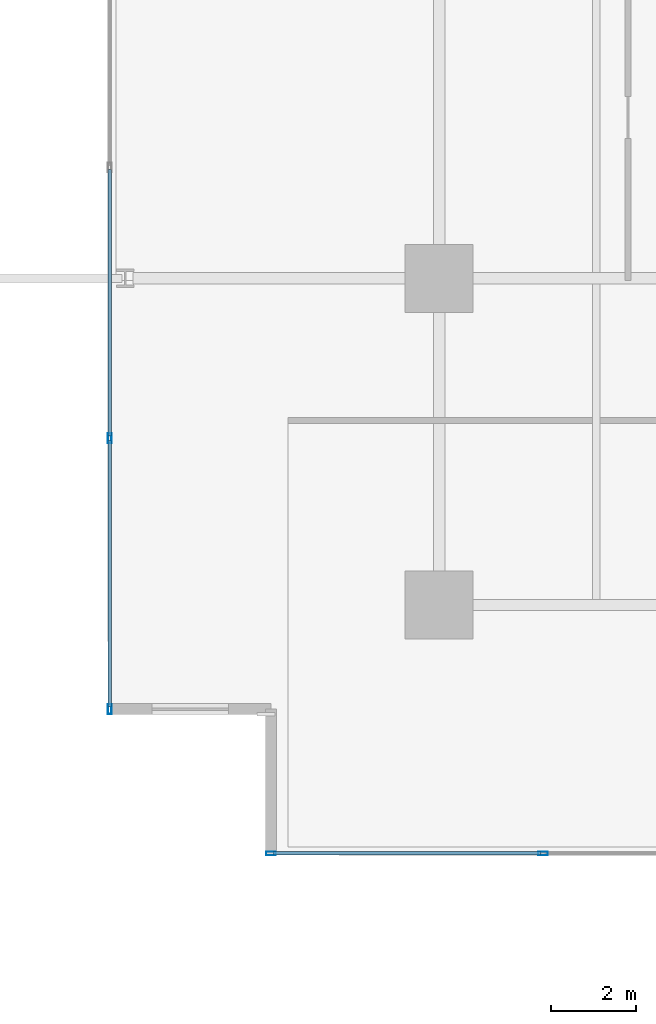
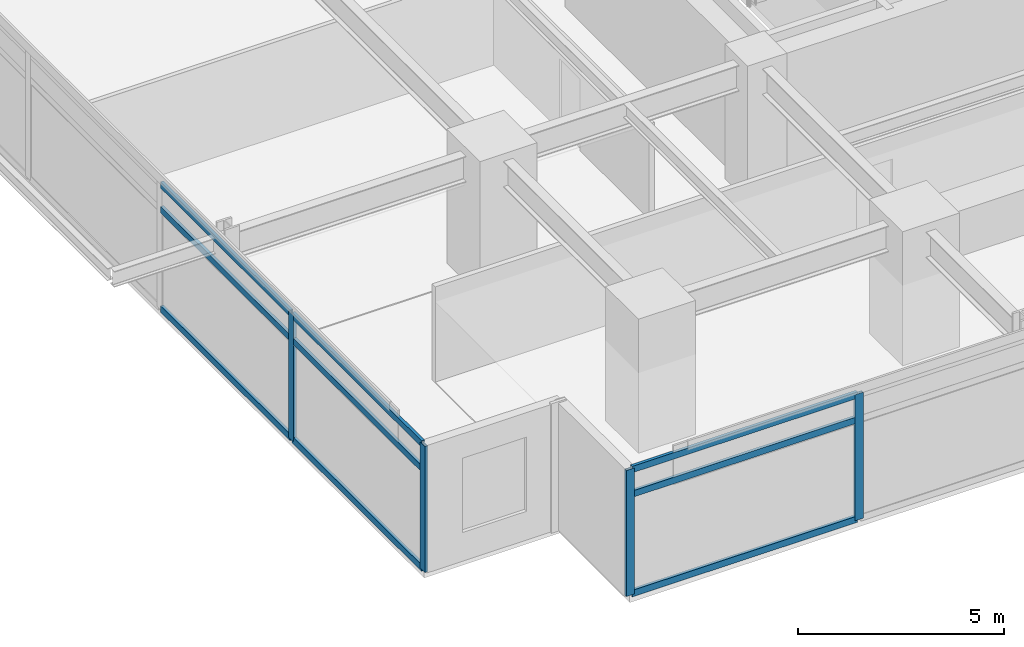
# One storey, part 2 of 24: 13 members, 2 elements without a shape of their own.
"""IFC4 building model written with IfcOpenShell, lengths in metres."""

from ifc_helpers import new_model, si_unit, direction, frame, origin, origin_2d, place, context, subcontext, project, spatial, hollow_rectangle, extrude, material, material_profile, profile_set, type_object, element, aggregate, save


model = new_model("IFC4")

# Units and contexts
model_context = context("Model", 3, precision=1e-05, world=origin(), true_north=direction((0.0, 1.0)))
body_context = subcontext(model_context, "Body", "Model", "MODEL_VIEW")
ifc_project = project(units=[si_unit("LENGTHUNIT", "METRE"), si_unit("AREAUNIT", "SQUARE_METRE"), si_unit("VOLUMEUNIT", "CUBIC_METRE"), si_unit("PLANEANGLEUNIT", "RADIAN"), si_unit("MASSUNIT", "GRAM", prefix="KILO")], contexts=[model_context])

# Site, building, storey
site_placement = place(None, origin())
site = spatial("IfcSite", under=ifc_project, at=site_placement, CompositionType="ELEMENT")
building_placement = place(site_placement, origin())
building = spatial("IfcBuilding", under=site, at=building_placement, Name="Kovane Verandah Tower", CompositionType="ELEMENT")
storey_placement = place(building_placement, frame((0.0, 0.0, 132.39990234375)))
storey = spatial("IfcBuildingStorey", under=building, at=storey_placement, Name="L30", CompositionType="ELEMENT", Elevation=132.39990234375)

# Curtain wall, members
ifc_material_1 = material(Name="Champagne Anodised Aluminium Frame with Low-E Clear Laminated Glass", Category="aluminium")
curtain_wall_type = type_object("IfcCurtainWallType", Name="CW-SYS-03-MID", PredefinedType="NOTDEFINED", material=ifc_material_1)
curtain_wall_1_placement = place(storey_placement, origin())
curtain_wall_1 = element("IfcCurtainWall", 1, at=curtain_wall_1_placement, inside=storey, type_object=curtain_wall_type, Name="L30 S Unitised Curtain Wall", PredefinedType="NOTDEFINED")
ifc_material_2 = material(Name="Champagne Anodised Aluminium 6063-T6", Category="aluminium")
ifc_material_profile_1 = material_profile(ifc_material_2, hollow_rectangle(XDim=0.0849609375, YDim=0.22998046875, WallThickness=0.00390625, at=origin_2d()), Name="AL85x230x4")
ifc_profile_set_1 = profile_set([ifc_material_profile_1], Name="Champagne Anodised Aluminium 6063-T6")
member_type_1 = type_object("IfcMemberType", Name="CW-MUL-85x230", PredefinedType="MULLION", material=ifc_profile_set_1)
member_1_placement = place(storey_placement, frame((17.6376953125, 4.9462890625, 0.02001953125), z_axis=(0.0, 0.0, 1.0), x_axis=(0.0, -1.0, 0.0)))
member_1 = element("IfcMember", 2, at=member_1_placement, type_object=member_type_1, Name="L30 S Unitised Curtain Wall Mullion 1", PredefinedType="MULLION", context=body_context, shape_type="SweptSolid", body=[
    extrude(hollow_rectangle(XDim=0.0849609375, YDim=0.22998046875, WallThickness=0.00390625, at=origin_2d()), origin(), (0.0, 0.0, 1.0), 3.735107421875),
])
member_2_placement = place(storey_placement, frame((24.048583984375, 4.9462890625, 0.02001953125), z_axis=(0.0, 0.0, 1.0), x_axis=(0.0, -1.0, 0.0)))
member_2 = element("IfcMember", 3, at=member_2_placement, type_object=member_type_1, Name="L30 S Unitised Curtain Wall Mullion 2", PredefinedType="MULLION", context=body_context, shape_type="SweptSolid", body=[
    extrude(hollow_rectangle(XDim=0.0849609375, YDim=0.22998046875, WallThickness=0.00390625, at=origin_2d()), origin(), (0.0, 0.0, 1.0), 3.735107421875),
])

curtain_wall_2_placement = place(storey_placement, origin())
curtain_wall_2 = element("IfcCurtainWall", 4, at=curtain_wall_2_placement, inside=storey, type_object=curtain_wall_type, Name="L30 W Unitised Curtain Wall", PredefinedType="NOTDEFINED")
member_3_placement = place(storey_placement, frame((13.837646484375, 14.73095703125, 0.02001953125), z_axis=(0.0, 0.0, 1.0), x_axis=(-1.0, 0.0, 0.0)))
member_3 = element("IfcMember", 5, at=member_3_placement, type_object=member_type_1, Name="L30 W Unitised Curtain Wall Mullion 6", PredefinedType="MULLION", context=body_context, shape_type="SweptSolid", body=[
    extrude(hollow_rectangle(XDim=0.0849609375, YDim=0.22998046875, WallThickness=0.00390625, at=origin_2d()), origin(), (0.0, 0.0, 1.0), 3.735107421875),
])
member_4_placement = place(storey_placement, frame((13.837646484375, 8.34619140625, 0.02001953125), z_axis=(0.0, 0.0, 1.0), x_axis=(-1.0, 0.0, 0.0)))
member_4 = element("IfcMember", 6, at=member_4_placement, type_object=member_type_1, Name="L30 W Unitised Curtain Wall Mullion 7", PredefinedType="MULLION", context=body_context, shape_type="SweptSolid", body=[
    extrude(hollow_rectangle(XDim=0.0849609375, YDim=0.22998046875, WallThickness=0.00390625, at=origin_2d()), origin(), (0.0, 0.0, 1.0), 3.735107421875),
])

# Member
ifc_material_profile_2 = material_profile(ifc_material_2, hollow_rectangle(XDim=0.0849609375, YDim=0.18994140625, WallThickness=0.00390625, at=origin_2d()), Name="AL85x190x4")
ifc_profile_set_2 = profile_set([ifc_material_profile_2], Name="Champagne Anodised Aluminium 6063-T6")
member_type_2 = type_object("IfcMemberType", Name="CW-TRN-85x190", PredefinedType="USERDEFINED", material=ifc_profile_set_2)
member_5_placement = place(storey_placement, frame((17.6875, 4.9462890625, 0.050048828125), z_axis=(1.0, 0.0, 0.0), x_axis=(0.0, 1.0, 0.0)))
member_5 = element("IfcMember", 7, at=member_5_placement, type_object=member_type_2, Name="L30 S Unitised Curtain Wall Transom TB Bay 1", ObjectType="TRANSOM", PredefinedType="USERDEFINED", context=body_context, shape_type="SweptSolid", body=[
    extrude(hollow_rectangle(XDim=0.0849609375, YDim=0.18994140625, WallThickness=0.00390625, at=origin_2d()), origin(), (0.0, 0.0, 1.0), 6.31103515625),
])

member_6_placement = place(storey_placement, frame((17.6875, 4.9462890625, 2.9951171875), z_axis=(1.0, 0.0, 0.0), x_axis=(0.0, 1.0, 0.0)))
member_6 = element("IfcMember", 8, at=member_6_placement, type_object=member_type_2, Name="L30 S Unitised Curtain Wall Transom TM Bay 1", ObjectType="TRANSOM", PredefinedType="USERDEFINED", context=body_context, shape_type="SweptSolid", body=[
    extrude(hollow_rectangle(XDim=0.0849609375, YDim=0.18994140625, WallThickness=0.00390625, at=origin_2d()), origin(), (0.0, 0.0, 1.0), 6.31103515625),
])

member_7_placement = place(storey_placement, frame((17.6875, 4.9462890625, 3.72509765625), z_axis=(1.0, 0.0, 0.0), x_axis=(0.0, 1.0, 0.0)))
member_7 = element("IfcMember", 9, at=member_7_placement, type_object=member_type_2, Name="L30 S Unitised Curtain Wall Transom TT Bay 1", ObjectType="TRANSOM", PredefinedType="USERDEFINED", context=body_context, shape_type="SweptSolid", body=[
    extrude(hollow_rectangle(XDim=0.0849609375, YDim=0.18994140625, WallThickness=0.00390625, at=origin_2d()), origin(), (0.0, 0.0, 1.0), 6.31103515625),
])

aggregate(curtain_wall_1, [member_1, member_2, member_5, member_6, member_7])

member_8_placement = place(storey_placement, frame((13.837646484375, 21.0654296875, 0.050048828125), z_axis=(0.0, -1.0, 0.0), x_axis=(1.0, 0.0, 0.0)))
member_8 = element("IfcMember", 10, at=member_8_placement, type_object=member_type_2, Name="L30 W Unitised Curtain Wall Transom TB Bay 5", ObjectType="TRANSOM", PredefinedType="USERDEFINED", context=body_context, shape_type="SweptSolid", body=[
    extrude(hollow_rectangle(XDim=0.0849609375, YDim=0.18994140625, WallThickness=0.00390625, at=origin_2d()), origin(), (0.0, 0.0, 1.0), 6.284423828125),
])

member_9_placement = place(storey_placement, frame((13.837646484375, 21.0654296875, 2.9951171875), z_axis=(0.0, -1.0, 0.0), x_axis=(1.0, 0.0, 0.0)))
member_9 = element("IfcMember", 11, at=member_9_placement, type_object=member_type_2, Name="L30 W Unitised Curtain Wall Transom TM Bay 5", ObjectType="TRANSOM", PredefinedType="USERDEFINED", context=body_context, shape_type="SweptSolid", body=[
    extrude(hollow_rectangle(XDim=0.0849609375, YDim=0.18994140625, WallThickness=0.00390625, at=origin_2d()), origin(), (0.0, 0.0, 1.0), 6.284423828125),
])

member_10_placement = place(storey_placement, frame((13.837646484375, 21.0654296875, 3.72509765625), z_axis=(0.0, -1.0, 0.0), x_axis=(1.0, 0.0, 0.0)))
member_10 = element("IfcMember", 12, at=member_10_placement, type_object=member_type_2, Name="L30 W Unitised Curtain Wall Transom TT Bay 5", ObjectType="TRANSOM", PredefinedType="USERDEFINED", context=body_context, shape_type="SweptSolid", body=[
    extrude(hollow_rectangle(XDim=0.0849609375, YDim=0.18994140625, WallThickness=0.00390625, at=origin_2d()), origin(), (0.0, 0.0, 1.0), 6.284423828125),
])

member_11_placement = place(storey_placement, frame((13.837646484375, 14.680908203125, 0.050048828125), z_axis=(0.0, -1.0, 0.0), x_axis=(1.0, 0.0, 0.0)))
member_11 = element("IfcMember", 13, at=member_11_placement, type_object=member_type_2, Name="L30 W Unitised Curtain Wall Transom TB Bay 6", ObjectType="TRANSOM", PredefinedType="USERDEFINED", context=body_context, shape_type="SweptSolid", body=[
    extrude(hollow_rectangle(XDim=0.0849609375, YDim=0.18994140625, WallThickness=0.00390625, at=origin_2d()), origin(), (0.0, 0.0, 1.0), 6.28466796875),
])

member_12_placement = place(storey_placement, frame((13.837646484375, 14.680908203125, 2.9951171875), z_axis=(0.0, -1.0, 0.0), x_axis=(1.0, 0.0, 0.0)))
member_12 = element("IfcMember", 14, at=member_12_placement, type_object=member_type_2, Name="L30 W Unitised Curtain Wall Transom TM Bay 6", ObjectType="TRANSOM", PredefinedType="USERDEFINED", context=body_context, shape_type="SweptSolid", body=[
    extrude(hollow_rectangle(XDim=0.0849609375, YDim=0.18994140625, WallThickness=0.00390625, at=origin_2d()), origin(), (0.0, 0.0, 1.0), 6.28466796875),
])

member_13_placement = place(storey_placement, frame((13.837646484375, 14.680908203125, 3.72509765625), z_axis=(0.0, -1.0, 0.0), x_axis=(1.0, 0.0, 0.0)))
member_13 = element("IfcMember", 15, at=member_13_placement, type_object=member_type_2, Name="L30 W Unitised Curtain Wall Transom TT Bay 6", ObjectType="TRANSOM", PredefinedType="USERDEFINED", context=body_context, shape_type="SweptSolid", body=[
    extrude(hollow_rectangle(XDim=0.0849609375, YDim=0.18994140625, WallThickness=0.00390625, at=origin_2d()), origin(), (0.0, 0.0, 1.0), 6.28466796875),
])

aggregate(curtain_wall_2, [member_3, member_4, member_8, member_9, member_10, member_11, member_12, member_13])

save(model, "model.ifc")
